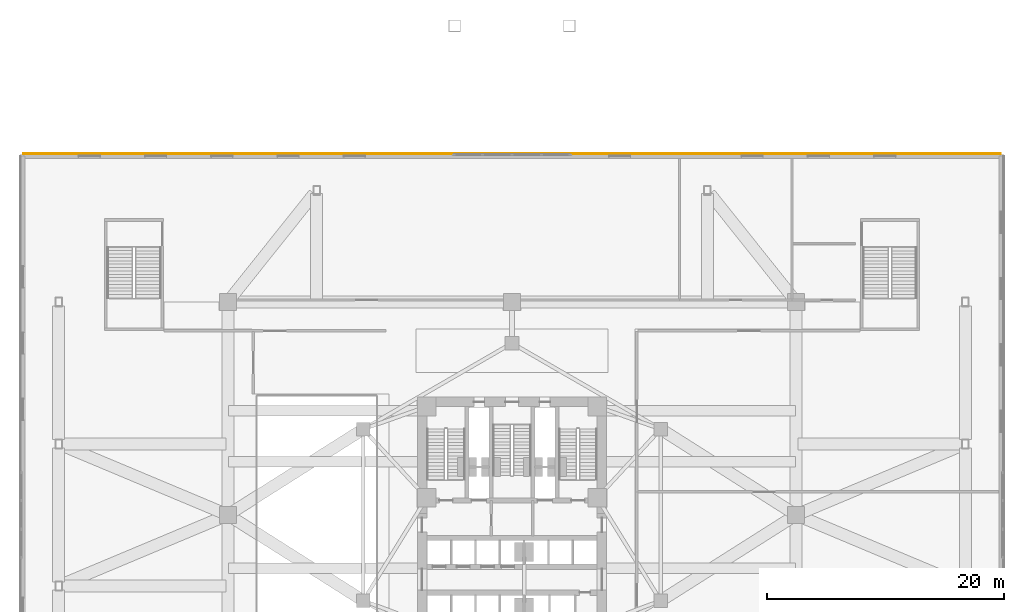
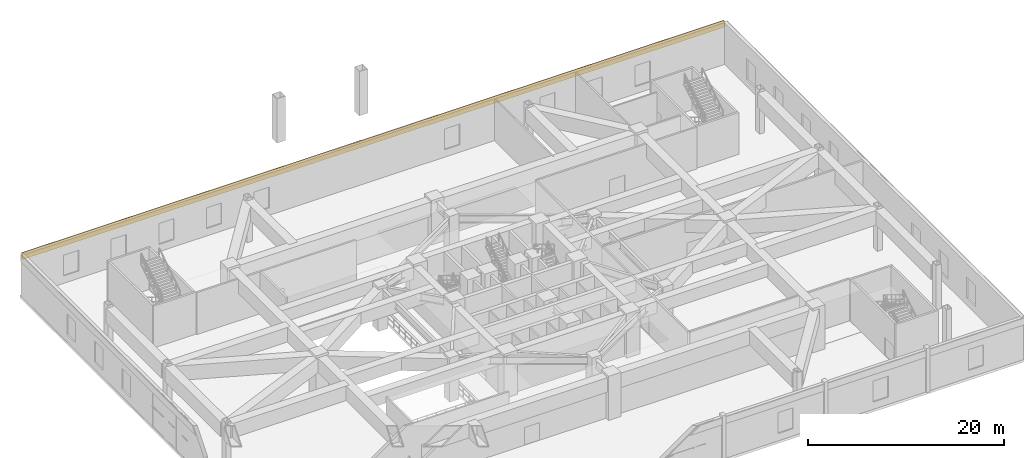
# One storey, part 20 of 23: 1 covering.
"""IFC4 building model written with IfcOpenShell, lengths in metres."""

import ifcopenshell
import ifcopenshell.guid

model = None  # the IFC model being written
_history = None  # IfcOwnerHistory: only IFC2X3 demands one
_inside = {}  # id of a spatial element -> (the spatial element, [elements in it])
_under = {}  # id of a project, library or spatial element -> (it, [spatial elements below it])
_declared = {}  # id of a project -> (the project, [libraries it declares])
_typed = {}  # id of a type object -> (the type object, [elements of that type])
_made_of = {}  # id of a material, layer set ... -> (it, [elements and type objects made of it])


def new_model(schema):
    """Start an empty IFC model of exactly this schema.

    Asked for "IFC4X3", IfcOpenShell would pick the latest addendum, in which some entities
    have other attributes; the version numbers below select the first issue.
    IFC2X3 requires an IfcOwnerHistory on every rooted entity: one is made here for all.
    """
    global model, _history
    if schema == "IFC4X3":
        model = ifcopenshell.file(schema_version=(4, 3, 0, 0))
    else:
        model = ifcopenshell.file(schema=schema)
    _inside.clear()
    _under.clear()
    _declared.clear()
    _typed.clear()
    _made_of.clear()
    _history = None
    if model.schema == "IFC2X3":
        org = make("IfcOrganization", Name="unknown")
        user = make(
            "IfcPersonAndOrganization",
            ThePerson=make("IfcPerson", FamilyName="unknown"),
            TheOrganization=org,
        )
        app = make(
            "IfcApplication",
            ApplicationDeveloper=org,
            Version="unknown",
            ApplicationFullName="unknown",
            ApplicationIdentifier="unknown",
        )
        _history = make(
            "IfcOwnerHistory",
            OwningUser=user,
            OwningApplication=app,
            ChangeAction="ADDED",
            CreationDate=0,
        )
    return model


def make(cls, **values):
    """One entity of the class cls with the attributes given. An attribute that is None is left unset."""
    return model.create_entity(
        cls, **{name: value for name, value in values.items() if value is not None}
    )


def rooted(cls, **values):
    """An entity with a GlobalId (a new one), such as an element, a storey or a relation."""
    return make(cls, GlobalId=ifcopenshell.guid.new(), OwnerHistory=_history, **values)


def si_unit(unit_type, name, prefix=None):
    """IfcSIUnit, for example si_unit("LENGTHUNIT", "METRE", prefix="MILLI")."""
    return make("IfcSIUnit", UnitType=unit_type, Prefix=prefix, Name=name)


def assignment(units):
    """IfcUnitAssignment: the units of a project."""
    return None if units is None else make("IfcUnitAssignment", Units=units)


def point(xyz):
    """IfcCartesianPoint."""
    return None if xyz is None else make("IfcCartesianPoint", Coordinates=xyz)


def direction(xyz):
    """IfcDirection."""
    return None if xyz is None else make("IfcDirection", DirectionRatios=xyz)


def frame(location, z_axis=None, x_axis=None):
    """IfcAxis2Placement3D, a coordinate frame: its origin and axes. An axis left out is left unset."""
    return make(
        "IfcAxis2Placement3D",
        Location=point(location),
        Axis=direction(z_axis),
        RefDirection=direction(x_axis),
    )


def origin():
    """The frame at (0, 0, 0) with its axes left unset."""
    return frame((0.0, 0.0, 0.0))


def place(relative_to, where):
    """IfcLocalPlacement: puts the frame where relative to a parent placement (None: the world)."""
    return make(
        "IfcLocalPlacement", PlacementRelTo=relative_to, RelativePlacement=where
    )


def context(
    kind, dimensions, precision=None, world=None, true_north=None, identifier=None
):
    """IfcGeometricRepresentationContext, for example the 3D "Model" context."""
    return make(
        "IfcGeometricRepresentationContext",
        ContextIdentifier=identifier,
        ContextType=kind,
        CoordinateSpaceDimension=dimensions,
        Precision=precision,
        WorldCoordinateSystem=world,
        TrueNorth=true_north,
    )


def subcontext(parent, identifier, kind, view, scale=None):
    """IfcGeometricRepresentationSubContext, for example "Body" below "Model"."""
    return make(
        "IfcGeometricRepresentationSubContext",
        ContextIdentifier=identifier,
        ContextType=kind,
        ParentContext=parent,
        TargetScale=scale,
        TargetView=view,
    )


def project(units=None, contexts=None):
    """IfcProject with its units and contexts."""
    return rooted(
        "IfcProject",
        Name="project",
        RepresentationContexts=contexts,
        UnitsInContext=assignment(units),
    )


def spatial(cls, under=None, at=None, **own):
    """A site, building, storey or space (cls), placed at a placement, below another one or the project."""
    s = rooted(cls, ObjectPlacement=at, **own)
    if under is not None:
        _under.setdefault(under.id(), (under, []))[1].append(s)
    return s


def polyline(points):
    """IfcPolyline through the points."""
    return make("IfcPolyline", Points=[point(p) for p in points])


def outline(outer, holes=None, kind="AREA"):
    """IfcArbitraryClosedProfileDef: a profile drawn as a closed curve; with holes, ...WithVoids."""
    if holes is None:
        return make("IfcArbitraryClosedProfileDef", ProfileType=kind, OuterCurve=outer)
    return make(
        "IfcArbitraryProfileDefWithVoids",
        ProfileType=kind,
        OuterCurve=outer,
        InnerCurves=holes,
    )


def extrude(swept, where, along, depth):
    """IfcExtrudedAreaSolid: the profile swept, set in the frame where, extruded along a direction by depth."""
    return make(
        "IfcExtrudedAreaSolid",
        SweptArea=swept,
        Position=where,
        ExtrudedDirection=direction(along),
        Depth=depth,
    )


def shape(context_of_items, identifier, shape_type, items):
    """IfcShapeRepresentation: the items that make up one representation, for example the "Body"."""
    return make(
        "IfcShapeRepresentation",
        ContextOfItems=context_of_items,
        RepresentationIdentifier=identifier,
        RepresentationType=shape_type,
        Items=items,
    )


def material(Name=None, Category=None):
    """IfcMaterial."""
    return make("IfcMaterial", Name=Name, Category=Category)


def layer(
    of_material, thickness, ventilated=None, Name=None, Category=None, Priority=None
):
    """IfcMaterialLayer: one layer of a wall or slab, of a material (None: an air gap)."""
    return make(
        "IfcMaterialLayer",
        Material=of_material,
        LayerThickness=thickness,
        IsVentilated=ventilated,
        Name=Name,
        Category=Category,
        Priority=Priority,
    )


def layer_set(layers, Name=None):
    """IfcMaterialLayerSet."""
    return make("IfcMaterialLayerSet", MaterialLayers=layers, LayerSetName=Name)


def made_of(thing, what):
    """Note that an element or type object is made of a material, layer set ...; save() writes the relation."""
    if what is not None:
        _made_of.setdefault(what.id(), (what, []))[1].append(thing)
    return thing


def type_object(cls, material=None, **own):
    """A type object (cls), such as IfcWallType, which elements share."""
    return made_of(rooted(cls, **own), material)


def element(
    cls,
    number,
    at=None,
    inside=None,
    cuts=None,
    type_object=None,
    material=None,
    context=None,
    identifier="Body",
    shape_type=None,
    held_by="IfcProductDefinitionShape",
    body=None,
    shapes=None,
    **own,
):
    """One element of the class cls, such as IfcWall. Its Tag is "e" and its number.

    at: its placement. inside: the storey or other place that contains it. cuts: it is an
    opening in that element (IfcRelVoidsElement). A single representation is given by context,
    identifier, shape_type and body (its items); several are given by shapes. held_by: the class
    of the entity that holds the representations. save() writes the other relations.
    """
    e = rooted(cls, Tag="e%d" % number, ObjectPlacement=at, **own)
    if body is not None:
        shapes = [shape(context, identifier, shape_type, body)]
    if shapes is not None:
        e.Representation = make(held_by, Representations=shapes)
    if inside is not None:
        _inside.setdefault(inside.id(), (inside, []))[1].append(e)
    if cuts is not None:
        rooted(
            "IfcRelVoidsElement", RelatingBuildingElement=cuts, RelatedOpeningElement=e
        )
    if type_object is not None:
        _typed.setdefault(type_object.id(), (type_object, []))[1].append(e)
    return made_of(e, material)


def aggregate(whole, parts):
    """IfcRelAggregates: a whole, such as a stair, and the parts it consists of."""
    return rooted("IfcRelAggregates", RelatingObject=whole, RelatedObjects=parts)


def save(model, path):
    """Write the relations noted so far, then the file.

    IfcRelAggregates (storeys below a building ...), IfcRelContainedInSpatialStructure (elements
    in a storey), IfcRelDefinesByType, IfcRelAssociatesMaterial and IfcRelDeclares: one each for
    every whole, place, type object, material and project.
    """
    for whole, parts in _under.values():
        aggregate(whole, parts)
    for where, things in _inside.values():
        rooted(
            "IfcRelContainedInSpatialStructure",
            RelatedElements=things,
            RelatingStructure=where,
        )
    for kind, things in _typed.values():
        rooted("IfcRelDefinesByType", RelatedObjects=things, RelatingType=kind)
    for what, things in _made_of.values():
        rooted("IfcRelAssociatesMaterial", RelatedObjects=things, RelatingMaterial=what)
    for by, libraries in _declared.values():
        rooted("IfcRelDeclares", RelatingContext=by, RelatedDefinitions=libraries)
    model.write(path)


model = new_model("IFC4")

# Units and contexts
model_context = context("Model", 3, precision=1e-05, world=origin(), true_north=direction((0.0, 1.0)))
body_context = subcontext(model_context, "Body", "Model", "MODEL_VIEW")
ifc_project = project(units=[si_unit("LENGTHUNIT", "METRE"), si_unit("AREAUNIT", "SQUARE_METRE"), si_unit("VOLUMEUNIT", "CUBIC_METRE"), si_unit("PLANEANGLEUNIT", "RADIAN"), si_unit("MASSUNIT", "GRAM", prefix="KILO")], contexts=[model_context])

# Site, building, storey
site_placement = place(None, origin())
site = spatial("IfcSite", under=ifc_project, at=site_placement, CompositionType="ELEMENT")
building_placement = place(site_placement, origin())
building = spatial("IfcBuilding", under=site, at=building_placement, Name="Apsidion Concourse Tower", CompositionType="ELEMENT")
storey_placement = place(building_placement, frame((0.0, 0.0, 6.0)))
storey = spatial("IfcBuildingStorey", under=building, at=storey_placement, Name="L01", CompositionType="ELEMENT", Elevation=6.0)

# Covering
ifc_material = material(Name="Reconstituted limestone facade cladding", Category="masonry")
ifc_layer = layer(ifc_material, 0.080078125)
ifc_layer_set = layer_set([ifc_layer], Name="Reconstituted limestone facade cladding")
covering_type = type_object("IfcCoveringType", Name="COV-CLAD-80", PredefinedType="CLADDING", material=ifc_layer_set)
covering_placement = place(storey_placement, frame((0.0, 0.0, 4.35009765625)))
element("IfcCovering", 1, at=covering_placement, inside=storey, type_object=covering_type, Name="L01 Limestone Spandrel Cladding N", PredefinedType="CLADDING", context=body_context, shape_type="SweptSolid", body=[
    extrude(outline(polyline([(-41.300048828125, 30.47998046875), (41.300048828125, 30.47998046875), (41.300048828125, 30.56005859375), (-41.300048828125, 30.56005859375), (-41.300048828125, 30.47998046875)])), origin(), (0.0, 0.0, 1.0), 0.849853515625),
])

save(model, "model.ifc")
